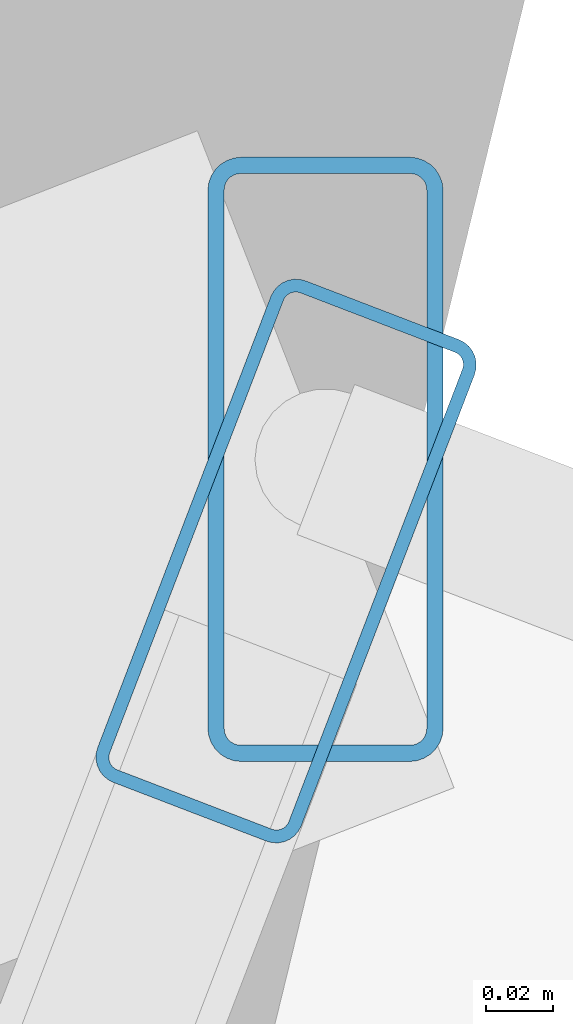
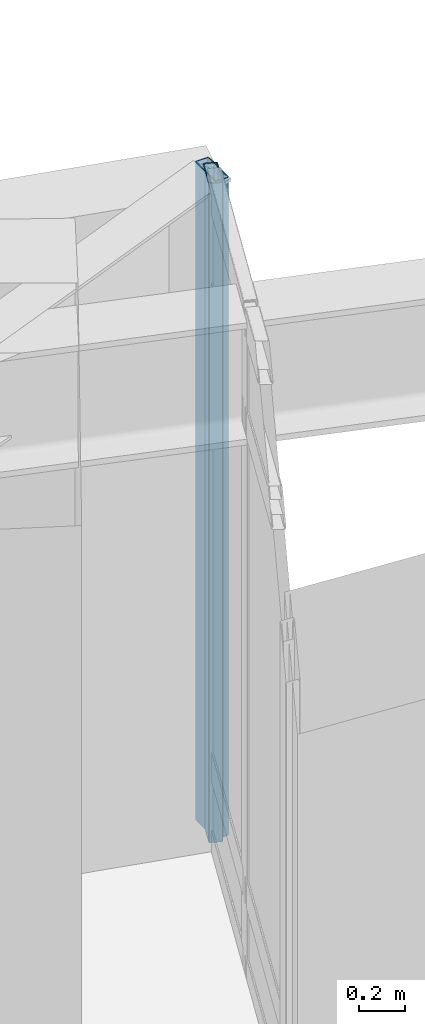
# One storey, part 4 of 12: 2 members, 1 element without a shape of its own.
"""IFC4 building model written with IfcOpenShell, lengths in metres."""

from ifc_helpers import new_model, si_unit, direction, frame, origin, origin_2d, place, context, subcontext, project, spatial, hollow_rectangle, extrude, material, layer, layer_set, material_profile, profile_set, type_object, element, aggregate, save


model = new_model("IFC4")

# Units and contexts
model_context = context("Model", 3, precision=1e-05, world=origin(), true_north=direction((0.0, 1.0)))
body_context = subcontext(model_context, "Body", "Model", "MODEL_VIEW")
ifc_project = project(units=[si_unit("LENGTHUNIT", "METRE"), si_unit("AREAUNIT", "SQUARE_METRE"), si_unit("VOLUMEUNIT", "CUBIC_METRE"), si_unit("PLANEANGLEUNIT", "RADIAN"), si_unit("MASSUNIT", "GRAM", prefix="KILO")], contexts=[model_context])

# Site, building, storey
site_placement = place(None, origin())
site = spatial("IfcSite", under=ifc_project, at=site_placement, CompositionType="ELEMENT")
building_placement = place(site_placement, origin())
building = spatial("IfcBuilding", under=site, at=building_placement, Name="Ndelora Gate Hotel", CompositionType="ELEMENT")
storey_placement = place(building_placement, frame((0.0, 0.0, 153.5)))
storey = spatial("IfcBuildingStorey", under=building, at=storey_placement, Name="L38", CompositionType="ELEMENT", Elevation=153.5)

# Curtain wall, members
ifc_material_1 = material(Name="Bronze Anodised Unitised Aluminium and Low-E Glass", Category="aluminium")
ifc_layer = layer(ifc_material_1, 0.199951171875)
ifc_layer_set = layer_set([ifc_layer], Name="Bronze Anodised Unitised Aluminium and Low-E Glass")
curtain_wall_type = type_object("IfcCurtainWallType", Name="CW-SYS-3", PredefinedType="NOTDEFINED", material=ifc_layer_set)
curtain_wall_placement = place(storey_placement, origin())
curtain_wall = element("IfcCurtainWall", 1, at=curtain_wall_placement, inside=storey, type_object=curtain_wall_type, Name="L38 Sky-Garden Loggia Side Curtain Wall CW3-2", PredefinedType="NOTDEFINED")
ifc_material_2 = material(Name="Bronze Anodised Aluminium 6063-T6", Category="aluminium")
ifc_material_profile_1 = material_profile(ifc_material_2, hollow_rectangle(XDim=0.06494140625, YDim=0.159912109375, WallThickness=0.00390625, InnerFilletRadius=0.00390625, OuterFilletRadius=0.008056640625, at=origin_2d()), Name="ALU 160x65x4")
ifc_profile_set_1 = profile_set([ifc_material_profile_1], Name="Bronze Anodised Aluminium 6063-T6")
member_type_1 = type_object("IfcMemberType", Name="MB-CW-MUL150", PredefinedType="MULLION", material=ifc_profile_set_1)
member_1_placement = place(storey_placement, frame((1.088134765625, 17.34521484375, -0.00390625), z_axis=(0.0, 0.0, 1.0), x_axis=(0.933577378035, -0.35837589096, 0.0)))
member_1 = element("IfcMember", 2, at=member_1_placement, type_object=member_type_1, Name="CW3 mullion 1", PredefinedType="MULLION", context=body_context, shape_type="SweptSolid", body=[
    extrude(hollow_rectangle(XDim=0.06494140625, YDim=0.159912109375, WallThickness=0.00390625, InnerFilletRadius=0.00390625, OuterFilletRadius=0.008056640625, at=origin_2d()), origin(), (0.0, 0.0, 1.0), 3.5078125),
])
ifc_material_profile_2 = material_profile(ifc_material_2, hollow_rectangle(XDim=0.070068359375, YDim=0.179931640625, WallThickness=0.0048828125, InnerFilletRadius=0.0048828125, OuterFilletRadius=0.010009765625, at=origin_2d()), Name="ALU 180x70x5")
ifc_profile_set_2 = profile_set([ifc_material_profile_2], Name="Bronze Anodised Aluminium 6063-T6")
member_type_2 = type_object("IfcMemberType", Name="MB-CW-MUL180", PredefinedType="MULLION", material=ifc_profile_set_2)
member_2_placement = place(storey_placement, frame((1.099853515625, 17.37548828125, 0.0), z_axis=(0.0, 0.0, 1.0), x_axis=(1.0, 0.0, 0.0)))
member_2 = element("IfcMember", 3, at=member_2_placement, type_object=member_type_2, Name="L38 Sky-Garden Loggia Corner Mullion Post 2", PredefinedType="MULLION", context=body_context, shape_type="SweptSolid", body=[
    extrude(hollow_rectangle(XDim=0.070068359375, YDim=0.179931640625, WallThickness=0.0048828125, InnerFilletRadius=0.0048828125, OuterFilletRadius=0.010009765625, at=origin_2d()), origin(), (0.0, 0.0, 1.0), 3.5),
])
aggregate(curtain_wall, [member_1, member_2])

save(model, "model.ifc")
